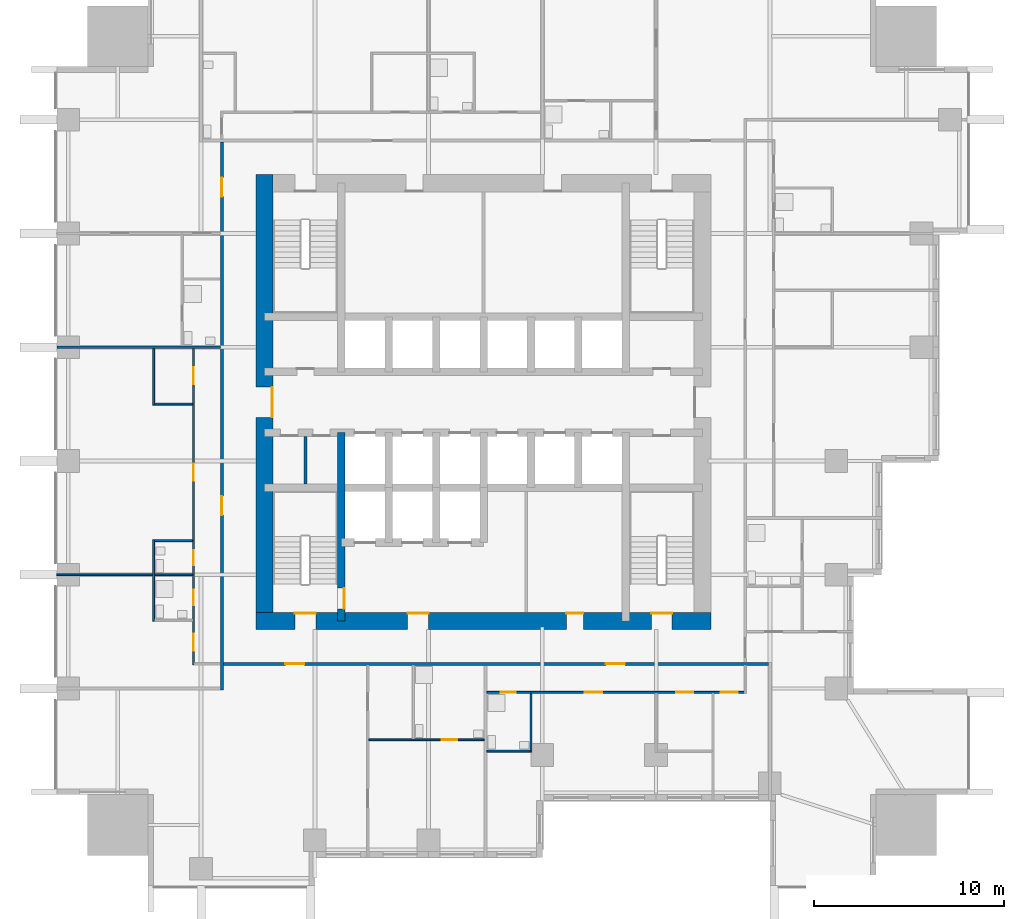
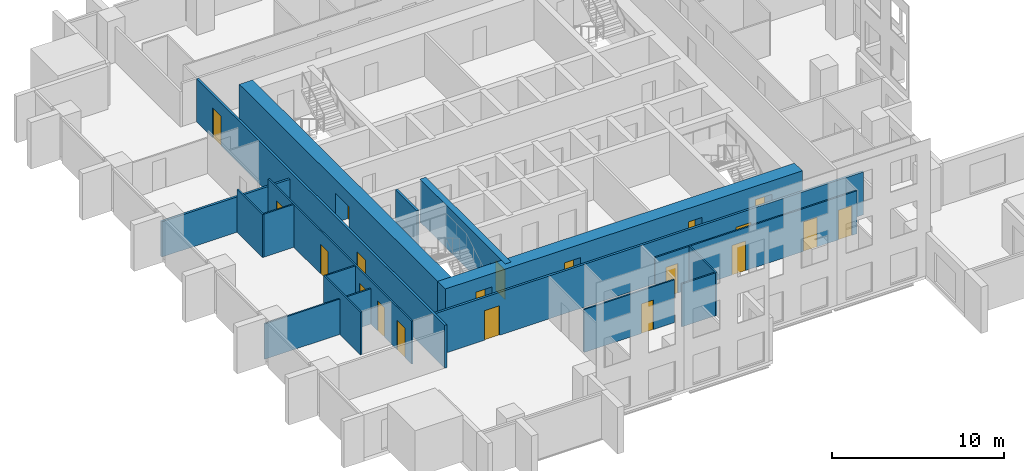
# One storey, part 4 of 11: 20 doors, 17 walls, 20 openings.
"""IFC4 building model written with IfcOpenShell, lengths in metres."""

from ifc_helpers import new_model, si_unit, direction, frame, frame_2d, origin, place, context, subcontext, project, spatial, rectangle, extrude, material, layer, layer_set, type_object, element, fill, save


model = new_model("IFC4")

# Units and contexts
model_context = context("Model", 3, precision=1e-05, world=origin(), true_north=direction((0.0, 1.0)))
body_context = subcontext(model_context, "Body", "Model", "MODEL_VIEW")
ifc_project = project(units=[si_unit("LENGTHUNIT", "METRE"), si_unit("AREAUNIT", "SQUARE_METRE"), si_unit("VOLUMEUNIT", "CUBIC_METRE"), si_unit("PLANEANGLEUNIT", "RADIAN"), si_unit("MASSUNIT", "GRAM", prefix="KILO")], contexts=[model_context])

# Site, building, storey
site_placement = place(None, origin())
site = spatial("IfcSite", under=ifc_project, at=site_placement, CompositionType="ELEMENT")
building_placement = place(site_placement, origin())
building = spatial("IfcBuilding", under=site, at=building_placement, Name="Amberfall Residences", CompositionType="ELEMENT")
storey_placement = place(building_placement, frame((0.0, 0.0, 33.39990234375)))
storey = spatial("IfcBuildingStorey", under=building, at=storey_placement, Name="L08", CompositionType="ELEMENT", Elevation=33.39990234375)

# Wall, opening, door
ifc_material_1 = material(Name="Concrete C80", Category="concrete")
ifc_layer_1 = layer(ifc_material_1, 0.39990234375)
ifc_layer_set_1 = layer_set([ifc_layer_1], Name="Core wall 400 C80")
wall_type_1 = type_object("IfcWallType", Name="Core wall 400 C80", PredefinedType="SHEAR", material=ifc_layer_set_1)
wall_1_placement = place(storey_placement, frame((67.0, 33.949951171875, 0.0), z_axis=(0.0, 0.0, 1.0), x_axis=(0.0, 1.0, 0.0)))
wall_1 = element("IfcWall", 1, at=wall_1_placement, inside=storey, type_object=wall_type_1, Name="Core wall RW2 L08 V45S", PredefinedType="SHEAR", context=body_context, shape_type="SweptSolid", body=[
    extrude(rectangle(XDim=9.949951171875, YDim=0.39990234375, at=frame_2d((4.97509765625, 0.0))), origin(), (0.0, 0.0, 1.0), 3.050048828125),
])
opening_1_placement = place(wall_1_placement, frame((0.64990234375, 0.0, 0.0)))
opening_1 = element("IfcOpeningElement", 2, at=opening_1_placement, cuts=wall_1, Name="Opening FL1", PredefinedType="OPENING", context=body_context, shape_type="SweptSolid", body=[
    extrude(rectangle(XDim=1.10009765625, YDim=2.10009765625, at=frame_2d((0.550048828125, 1.050048828125))), frame((0.0, 0.2099609375, 0.0), z_axis=(0.0, -1.0, 0.0), x_axis=(1.0, 0.0, 0.0)), (0.0, 0.0, 1.0), 0.419921875),
])
ifc_material_2 = material(Name="Steel fire door set", Category="steel")
door_type_1 = type_object("IfcDoorType", Name="Firefighting lobby door 1100 x 2100", OperationType="SINGLE_SWING_LEFT", PredefinedType="DOOR", material=ifc_material_2)
door_1_placement = place(opening_1_placement, origin())
door_1 = element("IfcDoor", 3, at=door_1_placement, inside=storey, type_object=door_type_1, Name="FL1 L08", OperationType="SINGLE_SWING_RIGHT", OverallHeight=2.10009765625, OverallWidth=1.10009765625, PredefinedType="DOOR", context=body_context, shape_type="SweptSolid", body=[
    extrude(rectangle(XDim=1.10009765625, YDim=2.10009765625, at=frame_2d((0.550048828125, 1.050048828125))), frame((0.0, -0.1376953125, 0.0), z_axis=(0.0, -1.0, 0.0), x_axis=(1.0, 0.0, 0.0)), (0.0, 0.0, 1.0), 0.050048828125),
])
fill(opening_1, door_1)

# Wall, openings, doors
ifc_layer_2 = layer(ifc_material_1, 0.89990234375)
ifc_layer_set_2 = layer_set([ifc_layer_2], Name="Core wall 900 C80")
wall_type_2 = type_object("IfcWallType", Name="Core wall 900 C80", PredefinedType="SHEAR", material=ifc_layer_set_2)
wall_2_placement = place(storey_placement, frame((62.5, 33.949951171875, 0.0), z_axis=(0.0, 0.0, 1.0), x_axis=(1.0, 0.0, 0.0)))
wall_2 = element("IfcWall", 4, at=wall_2_placement, inside=storey, type_object=wall_type_2, Name="Core wall RW1 L08 OS", PredefinedType="SHEAR", context=body_context, shape_type="SweptSolid", body=[
    extrude(rectangle(XDim=24.0, YDim=0.89990234375, at=frame_2d((12.0, 0.0))), origin(), (0.0, 0.0, 1.0), 3.050048828125),
])
opening_2_placement = place(wall_2_placement, frame((2.050048828125, 0.0, 0.0)))
opening_2 = element("IfcOpeningElement", 5, at=opening_2_placement, cuts=wall_2, Name="Opening SD1", PredefinedType="OPENING", context=body_context, shape_type="SweptSolid", body=[
    extrude(rectangle(XDim=1.10009765625, YDim=2.10009765625, at=frame_2d((0.550048828125, 1.050048828125))), frame((0.0, 0.4599609375, 0.0), z_axis=(0.0, -1.0, 0.0), x_axis=(1.0, 0.0, 0.0)), (0.0, 0.0, 1.0), 0.919921875),
])
opening_3_placement = place(wall_2_placement, frame((20.85009765625, 0.0, 0.0)))
opening_3 = element("IfcOpeningElement", 6, at=opening_3_placement, cuts=wall_2, Name="Opening SD1", PredefinedType="OPENING", context=body_context, shape_type="SweptSolid", body=[
    extrude(rectangle(XDim=1.10009765625, YDim=2.10009765625, at=frame_2d((0.550048828125, 1.050048828125))), frame((0.0, 0.4599609375, 0.0), z_axis=(0.0, -1.0, 0.0), x_axis=(1.0, 0.0, 0.0)), (0.0, 0.0, 1.0), 0.919921875),
])
opening_4_placement = place(wall_2_placement, frame((8.0, 0.0, 0.0)))
opening_4 = element("IfcOpeningElement", 7, at=opening_4_placement, cuts=wall_2, Name="Opening FL1", PredefinedType="OPENING", context=body_context, shape_type="SweptSolid", body=[
    extrude(rectangle(XDim=1.10009765625, YDim=2.10009765625, at=frame_2d((0.550048828125, 1.050048828125))), frame((0.0, 0.4599609375, 0.0), z_axis=(0.0, -1.0, 0.0), x_axis=(1.0, 0.0, 0.0)), (0.0, 0.0, 1.0), 0.919921875),
])
opening_5_placement = place(wall_2_placement, frame((16.362548828125, 0.0, 0.0)))
opening_5 = element("IfcOpeningElement", 8, at=opening_5_placement, cuts=wall_2, Name="Opening RD1", PredefinedType="OPENING", context=body_context, shape_type="SweptSolid", body=[
    extrude(rectangle(XDim=0.89990234375, YDim=2.10009765625, at=frame_2d((0.449951171875, 1.050048828125))), frame((0.0, 0.4599609375, 0.0), z_axis=(0.0, -1.0, 0.0), x_axis=(1.0, 0.0, 0.0)), (0.0, 0.0, 1.0), 0.919921875),
])
door_2_placement = place(opening_4_placement, origin())
door_2 = element("IfcDoor", 9, at=door_2_placement, inside=storey, type_object=door_type_1, Name="FL1 L08", OperationType="SINGLE_SWING_LEFT", OverallHeight=2.10009765625, OverallWidth=1.10009765625, PredefinedType="DOOR", context=body_context, shape_type="SweptSolid", body=[
    extrude(rectangle(XDim=1.10009765625, YDim=2.10009765625, at=frame_2d((0.550048828125, 1.050048828125))), frame((0.0, 0.4375, 0.0), z_axis=(0.0, -1.0, 0.0), x_axis=(1.0, 0.0, 0.0)), (0.0, 0.0, 1.0), 0.050048828125),
])
fill(opening_4, door_2)
door_type_2 = type_object("IfcDoorType", Name="Service room door 900 x 2100", OperationType="SINGLE_SWING_LEFT", PredefinedType="DOOR", material=ifc_material_2)
door_3_placement = place(opening_5_placement, origin())
door_3 = element("IfcDoor", 10, at=door_3_placement, inside=storey, type_object=door_type_2, Name="RD1 L08", OperationType="SINGLE_SWING_LEFT", OverallHeight=2.10009765625, OverallWidth=0.89990234375, PredefinedType="DOOR", context=body_context, shape_type="SweptSolid", body=[
    extrude(rectangle(XDim=0.89990234375, YDim=2.10009765625, at=frame_2d((0.449951171875, 1.050048828125))), frame((0.0, 0.4375, 0.0), z_axis=(0.0, -1.0, 0.0), x_axis=(1.0, 0.0, 0.0)), (0.0, 0.0, 1.0), 0.050048828125),
])
fill(opening_5, door_3)
door_type_3 = type_object("IfcDoorType", Name="Stair door 1100 x 2100", OperationType="SINGLE_SWING_LEFT", PredefinedType="DOOR", material=ifc_material_2)
door_4_placement = place(opening_2_placement, origin())
door_4 = element("IfcDoor", 11, at=door_4_placement, inside=storey, type_object=door_type_3, Name="SD1 L08", OperationType="SINGLE_SWING_LEFT", OverallHeight=2.10009765625, OverallWidth=1.10009765625, PredefinedType="DOOR", context=body_context, shape_type="SweptSolid", body=[
    extrude(rectangle(XDim=1.10009765625, YDim=2.10009765625, at=frame_2d((0.550048828125, 1.050048828125))), frame((0.0, 0.4375, 0.0), z_axis=(0.0, -1.0, 0.0), x_axis=(1.0, 0.0, 0.0)), (0.0, 0.0, 1.0), 0.050048828125),
])
fill(opening_2, door_4)
door_5_placement = place(opening_3_placement, origin())
door_5 = element("IfcDoor", 12, at=door_5_placement, inside=storey, type_object=door_type_3, Name="SD1 L08", OperationType="SINGLE_SWING_RIGHT", OverallHeight=2.10009765625, OverallWidth=1.10009765625, PredefinedType="DOOR", context=body_context, shape_type="SweptSolid", body=[
    extrude(rectangle(XDim=1.10009765625, YDim=2.10009765625, at=frame_2d((0.550048828125, 1.050048828125))), frame((0.0, 0.4375, 0.0), z_axis=(0.0, -1.0, 0.0), x_axis=(1.0, 0.0, 0.0)), (0.0, 0.0, 1.0), 0.050048828125),
])
fill(opening_3, door_5)

# Wall, opening, door
wall_3_placement = place(storey_placement, frame((62.949951171875, 33.5, 0.0), z_axis=(0.0, 0.0, 1.0), x_axis=(0.0, 1.0, 0.0)))
wall_3 = element("IfcWall", 13, at=wall_3_placement, inside=storey, type_object=wall_type_2, Name="Core wall RW1 L08 OW", PredefinedType="SHEAR", context=body_context, shape_type="SweptSolid", body=[
    extrude(rectangle(XDim=24.0, YDim=0.89990234375, at=frame_2d((12.0, 0.0))), origin(), (0.0, 0.0, 1.0), 3.050048828125),
])
opening_6_placement = place(wall_3_placement, frame((11.199951171875, 0.0, 0.0)))
opening_6 = element("IfcOpeningElement", 14, at=opening_6_placement, cuts=wall_3, Name="Opening LB1", PredefinedType="OPENING", context=body_context, shape_type="SweptSolid", body=[
    extrude(rectangle(XDim=1.60009765625, YDim=2.10009765625, at=frame_2d((0.800048828125, 1.050048828125))), frame((0.0, 0.4599609375, 0.0), z_axis=(0.0, -1.0, 0.0), x_axis=(1.0, 0.0, 0.0)), (0.0, 0.0, 1.0), 0.919921875),
])
door_type_4 = type_object("IfcDoorType", Name="Lift lobby double door 1600 x 2100", OperationType="DOUBLE_DOOR_SINGLE_SWING", PredefinedType="DOOR", material=ifc_material_2)
door_6_placement = place(opening_6_placement, origin())
door_6 = element("IfcDoor", 15, at=door_6_placement, inside=storey, type_object=door_type_4, Name="LB1 L08", OperationType="DOUBLE_DOOR_SINGLE_SWING", OverallHeight=2.10009765625, OverallWidth=1.60009765625, PredefinedType="DOOR", context=body_context, shape_type="SweptSolid", body=[
    extrude(rectangle(XDim=1.60009765625, YDim=2.10009765625, at=frame_2d((0.800048828125, 1.050048828125))), frame((0.0, -0.3876953125, 0.0), z_axis=(0.0, -1.0, 0.0), x_axis=(1.0, 0.0, 0.0)), (0.0, 0.0, 1.0), 0.050048828125),
])
fill(opening_6, door_6)

# Walls
ifc_material_3 = material(Name="Gypsum board on metal stud")
ifc_layer_3 = layer(ifc_material_3, 0.10009765625)
ifc_layer_set_3 = layer_set([ifc_layer_3], Name="Flat partition 100")
wall_type_3 = type_object("IfcWallType", Name="Flat partition 100", PredefinedType="PARTITIONING", material=ifc_layer_set_3)
wall_4_placement = place(storey_placement, frame((57.10009765625, 33.949951171875, 0.0), z_axis=(0.0, 0.0, 1.0), x_axis=(0.0, 1.0, 0.0)))
element("IfcWall", 16, at=wall_4_placement, inside=storey, type_object=wall_type_3, Name="Partition 001", PredefinedType="PARTITIONING", context=body_context, shape_type="SweptSolid", body=[
    extrude(rectangle(XDim=4.300048828125, YDim=0.10009765625, at=frame_2d((2.14990234375, 0.0))), origin(), (0.0, 0.0, 1.0), 3.050048828125),
])
wall_5_placement = place(storey_placement, frame((57.10009765625, 45.35009765625, 0.0), z_axis=(0.0, 0.0, 1.0), x_axis=(0.0, 1.0, 0.0)))
element("IfcWall", 17, at=wall_5_placement, inside=storey, type_object=wall_type_3, Name="Partition 002", PredefinedType="PARTITIONING", context=body_context, shape_type="SweptSolid", body=[
    extrude(rectangle(XDim=2.974853515625, YDim=0.10009765625, at=frame_2d((1.4873046875, 0.0))), origin(), (0.0, 0.0, 1.0), 3.050048828125),
])

# Wall, openings, doors
wall_6_placement = place(storey_placement, frame((59.199951171875, 31.64990234375, 0.0), z_axis=(0.0, 0.0, 1.0), x_axis=(0.0, 1.0, 0.0)))
wall_6 = element("IfcWall", 18, at=wall_6_placement, inside=storey, type_object=wall_type_3, Name="Partition 004", PredefinedType="PARTITIONING", context=body_context, shape_type="SweptSolid", body=[
    extrude(rectangle(XDim=16.675048828125, YDim=0.10009765625, at=frame_2d((8.33740234375, 0.0))), origin(), (0.0, 0.0, 1.0), 3.050048828125),
])
opening_7_placement = place(wall_6_placement, frame((9.699951171875, 0.0, 0.0)))
opening_7 = element("IfcOpeningElement", 19, at=opening_7_placement, cuts=wall_6, Name="Opening D41", PredefinedType="OPENING", context=body_context, shape_type="SweptSolid", body=[
    extrude(rectangle(XDim=0.89990234375, YDim=2.10009765625, at=frame_2d((0.449951171875, 1.050048828125))), frame((0.0, 0.06005859375, 0.0), z_axis=(0.0, -1.0, 0.0), x_axis=(1.0, 0.0, 0.0)), (0.0, 0.0, 1.0), 0.1201171875),
])
opening_8_placement = place(wall_6_placement, frame((14.800048828125, 0.0, 0.0)))
opening_8 = element("IfcOpeningElement", 20, at=opening_8_placement, cuts=wall_6, Name="Opening D41", PredefinedType="OPENING", context=body_context, shape_type="SweptSolid", body=[
    extrude(rectangle(XDim=0.89990234375, YDim=2.10009765625, at=frame_2d((0.449951171875, 1.050048828125))), frame((0.0, 0.06005859375, 0.0), z_axis=(0.0, -1.0, 0.0), x_axis=(1.0, 0.0, 0.0)), (0.0, 0.0, 1.0), 0.1201171875),
])
opening_9_placement = place(wall_6_placement, frame((5.25, 0.0, 0.0)))
opening_9 = element("IfcOpeningElement", 21, at=opening_9_placement, cuts=wall_6, Name="Opening D42", PredefinedType="OPENING", context=body_context, shape_type="SweptSolid", body=[
    extrude(rectangle(XDim=0.800048828125, YDim=2.10009765625, at=frame_2d((0.39990234375, 1.050048828125))), frame((0.0, 0.06005859375, 0.0), z_axis=(0.0, -1.0, 0.0), x_axis=(1.0, 0.0, 0.0)), (0.0, 0.0, 1.0), 0.1201171875),
])
opening_10_placement = place(wall_6_placement, frame((0.75, 0.0, 0.0)))
opening_10 = element("IfcOpeningElement", 22, at=opening_10_placement, cuts=wall_6, Name="Opening D41", PredefinedType="OPENING", context=body_context, shape_type="SweptSolid", body=[
    extrude(rectangle(XDim=0.89990234375, YDim=2.10009765625, at=frame_2d((0.449951171875, 1.050048828125))), frame((0.0, 0.06005859375, 0.0), z_axis=(0.0, -1.0, 0.0), x_axis=(1.0, 0.0, 0.0)), (0.0, 0.0, 1.0), 0.1201171875),
])
opening_11_placement = place(wall_6_placement, frame((3.14990234375, 0.0, 0.0)))
opening_11 = element("IfcOpeningElement", 23, at=opening_11_placement, cuts=wall_6, Name="Opening D42", PredefinedType="OPENING", context=body_context, shape_type="SweptSolid", body=[
    extrude(rectangle(XDim=0.800048828125, YDim=2.10009765625, at=frame_2d((0.39990234375, 1.050048828125))), frame((0.0, 0.06005859375, 0.0), z_axis=(0.0, -1.0, 0.0), x_axis=(1.0, 0.0, 0.0)), (0.0, 0.0, 1.0), 0.1201171875),
])
ifc_material_4 = material(Name="Timber", Category="wood")
door_type_5 = type_object("IfcDoorType", Name="Bathroom door 800 x 2100", OperationType="SINGLE_SWING_LEFT", PredefinedType="DOOR", material=ifc_material_4)
door_7_placement = place(opening_9_placement, origin())
door_7 = element("IfcDoor", 24, at=door_7_placement, inside=storey, type_object=door_type_5, Name="Door 0807 wc1", OperationType="SINGLE_SWING_LEFT", OverallHeight=2.10009765625, OverallWidth=0.800048828125, PredefinedType="DOOR", context=body_context, shape_type="SweptSolid", body=[
    extrude(rectangle(XDim=0.800048828125, YDim=2.10009765625, at=frame_2d((0.39990234375, 1.050048828125))), frame((0.0, 0.02490234375, 0.0), z_axis=(0.0, -1.0, 0.0), x_axis=(1.0, 0.0, 0.0)), (0.0, 0.0, 1.0), 0.050048828125),
])
fill(opening_9, door_7)
door_8_placement = place(opening_11_placement, origin())
door_8 = element("IfcDoor", 25, at=door_8_placement, inside=storey, type_object=door_type_5, Name="Door 0807 bath1", OperationType="SINGLE_SWING_LEFT", OverallHeight=2.10009765625, OverallWidth=0.800048828125, PredefinedType="DOOR", context=body_context, shape_type="SweptSolid", body=[
    extrude(rectangle(XDim=0.800048828125, YDim=2.10009765625, at=frame_2d((0.39990234375, 1.050048828125))), frame((0.0, 0.02490234375, 0.0), z_axis=(0.0, -1.0, 0.0), x_axis=(1.0, 0.0, 0.0)), (0.0, 0.0, 1.0), 0.050048828125),
])
fill(opening_11, door_8)
door_type_6 = type_object("IfcDoorType", Name="Internal door 900 x 2100", OperationType="SINGLE_SWING_LEFT", PredefinedType="DOOR", material=ifc_material_4)
door_9_placement = place(opening_7_placement, origin())
door_9 = element("IfcDoor", 26, at=door_9_placement, inside=storey, type_object=door_type_6, Name="Door 0807 living", OperationType="SINGLE_SWING_LEFT", OverallHeight=2.10009765625, OverallWidth=0.89990234375, PredefinedType="DOOR", context=body_context, shape_type="SweptSolid", body=[
    extrude(rectangle(XDim=0.89990234375, YDim=2.10009765625, at=frame_2d((0.449951171875, 1.050048828125))), frame((0.0, 0.02490234375, 0.0), z_axis=(0.0, -1.0, 0.0), x_axis=(1.0, 0.0, 0.0)), (0.0, 0.0, 1.0), 0.050048828125),
])
fill(opening_7, door_9)
door_10_placement = place(opening_8_placement, origin())
door_10 = element("IfcDoor", 27, at=door_10_placement, inside=storey, type_object=door_type_6, Name="Door 0807 kitchen", OperationType="SINGLE_SWING_LEFT", OverallHeight=2.10009765625, OverallWidth=0.89990234375, PredefinedType="DOOR", context=body_context, shape_type="SweptSolid", body=[
    extrude(rectangle(XDim=0.89990234375, YDim=2.10009765625, at=frame_2d((0.449951171875, 1.050048828125))), frame((0.0, 0.02490234375, 0.0), z_axis=(0.0, -1.0, 0.0), x_axis=(1.0, 0.0, 0.0)), (0.0, 0.0, 1.0), 0.050048828125),
])
fill(opening_8, door_10)
door_11_placement = place(opening_10_placement, origin())
door_11 = element("IfcDoor", 28, at=door_11_placement, inside=storey, type_object=door_type_6, Name="Door 0807 bedroom1", OperationType="SINGLE_SWING_LEFT", OverallHeight=2.10009765625, OverallWidth=0.89990234375, PredefinedType="DOOR", context=body_context, shape_type="SweptSolid", body=[
    extrude(rectangle(XDim=0.89990234375, YDim=2.10009765625, at=frame_2d((0.449951171875, 1.050048828125))), frame((0.0, 0.02490234375, 0.0), z_axis=(0.0, -1.0, 0.0), x_axis=(1.0, 0.0, 0.0)), (0.0, 0.0, 1.0), 0.050048828125),
])
fill(opening_10, door_11)

# Walls
wall_7_placement = place(storey_placement, frame((77.0, 27.050048828125, 0.0), z_axis=(0.0, 0.0, 1.0), x_axis=(0.0, 1.0, 0.0)))
element("IfcWall", 29, at=wall_7_placement, inside=storey, type_object=wall_type_3, Name="Partition 012", PredefinedType="PARTITIONING", context=body_context, shape_type="SweptSolid", body=[
    extrude(rectangle(XDim=3.099853515625, YDim=0.10009765625, at=frame_2d((1.5498046875, 0.0))), origin(), (0.0, 0.0, 1.0), 3.050048828125),
])
for number, where, z_axis, x_axis, name in (
    (30, (57.14990234375, 45.39990234375, 0.0), (0.0, 0.0, 1.0), (1.0, 0.0, 0.0), "Partition 033"),
    (31, (57.14990234375, 38.199951171875, 0.0), (0.0, 0.0, 1.0), (1.0, 0.0, 0.0), "Partition 034"),
):
    element("IfcWall", number, at=place(storey_placement, frame(where, z_axis=z_axis, x_axis=x_axis)), inside=storey, type_object=wall_type_3, Name=name, PredefinedType="PARTITIONING", context=body_context, shape_type="SweptSolid", body=[
        extrude(rectangle(XDim=2.0, YDim=0.10009765625, at=frame_2d((1.0, 0.0))), origin(), (0.0, 0.0, 1.0), 3.050048828125),
    ])
wall_8_placement = place(storey_placement, frame((52.0, 36.39990234375, 0.0), z_axis=(0.0, 0.0, 1.0), x_axis=(1.0, 0.0, 0.0)))
element("IfcWall", 32, at=wall_8_placement, inside=storey, type_object=wall_type_3, Name="Partition 035", PredefinedType="PARTITIONING", context=body_context, shape_type="SweptSolid", body=[
    extrude(rectangle(XDim=7.14990234375, YDim=0.10009765625, at=frame_2d((3.574951171875, 0.0))), origin(), (0.0, 0.0, 1.0), 2.51611328125),
])

# Wall, openings, doors
wall_9_placement = place(storey_placement, frame((88.25, 30.199951171875, 0.0), z_axis=(0.0, 0.0, 1.0), x_axis=(-1.0, 0.0, 0.0)))
wall_9 = element("IfcWall", 33, at=wall_9_placement, inside=storey, type_object=wall_type_3, Name="Partition 040", PredefinedType="PARTITIONING", context=body_context, shape_type="SweptSolid", body=[
    extrude(rectangle(XDim=13.574951171875, YDim=0.10009765625, at=frame_2d((6.78759765625, 0.0))), origin(), (0.0, 0.0, 1.0), 3.050048828125),
])
opening_12_placement = place(wall_9_placement, frame((7.5, 0.0, 0.0)))
opening_12 = element("IfcOpeningElement", 34, at=opening_12_placement, cuts=wall_9, Name="Opening D41", PredefinedType="OPENING", context=body_context, shape_type="SweptSolid", body=[
    extrude(rectangle(XDim=0.89990234375, YDim=2.10009765625, at=frame_2d((0.449951171875, 1.050048828125))), frame((0.0, 0.06005859375, 0.0), z_axis=(0.0, -1.0, 0.0), x_axis=(1.0, 0.0, 0.0)), (0.0, 0.0, 1.0), 0.1201171875),
])
opening_13_placement = place(wall_9_placement, frame((2.699951171875, 0.0, 0.0)))
opening_13 = element("IfcOpeningElement", 35, at=opening_13_placement, cuts=wall_9, Name="Opening D41", PredefinedType="OPENING", context=body_context, shape_type="SweptSolid", body=[
    extrude(rectangle(XDim=0.89990234375, YDim=2.10009765625, at=frame_2d((0.449951171875, 1.050048828125))), frame((0.0, 0.06005859375, 0.0), z_axis=(0.0, -1.0, 0.0), x_axis=(1.0, 0.0, 0.0)), (0.0, 0.0, 1.0), 0.1201171875),
])
opening_14_placement = place(wall_9_placement, frame((0.35009765625, 0.0, 0.0)))
opening_14 = element("IfcOpeningElement", 36, at=opening_14_placement, cuts=wall_9, Name="Opening D41", PredefinedType="OPENING", context=body_context, shape_type="SweptSolid", body=[
    extrude(rectangle(XDim=0.89990234375, YDim=2.10009765625, at=frame_2d((0.449951171875, 1.050048828125))), frame((0.0, 0.06005859375, 0.0), z_axis=(0.0, -1.0, 0.0), x_axis=(1.0, 0.0, 0.0)), (0.0, 0.0, 1.0), 0.1201171875),
])
opening_15_placement = place(wall_9_placement, frame((12.050048828125, 0.0, 0.0)))
opening_15 = element("IfcOpeningElement", 37, at=opening_15_placement, cuts=wall_9, Name="Opening D42", PredefinedType="OPENING", context=body_context, shape_type="SweptSolid", body=[
    extrude(rectangle(XDim=0.800048828125, YDim=2.10009765625, at=frame_2d((0.39990234375, 1.050048828125))), frame((0.0, 0.06005859375, 0.0), z_axis=(0.0, -1.0, 0.0), x_axis=(1.0, 0.0, 0.0)), (0.0, 0.0, 1.0), 0.1201171875),
])
door_12_placement = place(opening_15_placement, origin())
door_12 = element("IfcDoor", 38, at=door_12_placement, inside=storey, type_object=door_type_5, Name="Door 0802 bath1", OperationType="SINGLE_SWING_LEFT", OverallHeight=2.10009765625, OverallWidth=0.800048828125, PredefinedType="DOOR", context=body_context, shape_type="SweptSolid", body=[
    extrude(rectangle(XDim=0.800048828125, YDim=2.10009765625, at=frame_2d((0.39990234375, 1.050048828125))), frame((0.0, 0.02490234375, 0.0), z_axis=(0.0, -1.0, 0.0), x_axis=(1.0, 0.0, 0.0)), (0.0, 0.0, 1.0), 0.050048828125),
])
fill(opening_15, door_12)
door_13_placement = place(opening_12_placement, origin())
door_13 = element("IfcDoor", 39, at=door_13_placement, inside=storey, type_object=door_type_6, Name="Door 0802 living", OperationType="SINGLE_SWING_LEFT", OverallHeight=2.10009765625, OverallWidth=0.89990234375, PredefinedType="DOOR", context=body_context, shape_type="SweptSolid", body=[
    extrude(rectangle(XDim=0.89990234375, YDim=2.10009765625, at=frame_2d((0.449951171875, 1.050048828125))), frame((0.0, 0.02490234375, 0.0), z_axis=(0.0, -1.0, 0.0), x_axis=(1.0, 0.0, 0.0)), (0.0, 0.0, 1.0), 0.050048828125),
])
fill(opening_12, door_13)
door_14_placement = place(opening_13_placement, origin())
door_14 = element("IfcDoor", 40, at=door_14_placement, inside=storey, type_object=door_type_6, Name="Door 0802 kitchen", OperationType="SINGLE_SWING_LEFT", OverallHeight=2.10009765625, OverallWidth=0.89990234375, PredefinedType="DOOR", context=body_context, shape_type="SweptSolid", body=[
    extrude(rectangle(XDim=0.89990234375, YDim=2.10009765625, at=frame_2d((0.449951171875, 1.050048828125))), frame((0.0, 0.02490234375, 0.0), z_axis=(0.0, -1.0, 0.0), x_axis=(1.0, 0.0, 0.0)), (0.0, 0.0, 1.0), 0.050048828125),
])
fill(opening_13, door_14)
door_15_placement = place(opening_14_placement, origin())
door_15 = element("IfcDoor", 41, at=door_15_placement, inside=storey, type_object=door_type_6, Name="Door 0802 bedroom1", OperationType="SINGLE_SWING_LEFT", OverallHeight=2.10009765625, OverallWidth=0.89990234375, PredefinedType="DOOR", context=body_context, shape_type="SweptSolid", body=[
    extrude(rectangle(XDim=0.89990234375, YDim=2.10009765625, at=frame_2d((0.449951171875, 1.050048828125))), frame((0.0, 0.02490234375, 0.0), z_axis=(0.0, -1.0, 0.0), x_axis=(1.0, 0.0, 0.0)), (0.0, 0.0, 1.0), 0.050048828125),
])
fill(opening_14, door_15)

# Wall, opening, door
wall_10_placement = place(storey_placement, frame((68.449951171875, 27.699951171875, 0.0), z_axis=(0.0, 0.0, 1.0), x_axis=(1.0, 0.0, 0.0)))
wall_10 = element("IfcWall", 42, at=wall_10_placement, inside=storey, type_object=wall_type_3, Name="Partition 041", PredefinedType="PARTITIONING", context=body_context, shape_type="SweptSolid", body=[
    extrude(rectangle(XDim=6.074951171875, YDim=0.10009765625, at=frame_2d((3.03759765625, 0.0))), origin(), (0.0, 0.0, 1.0), 3.050048828125),
])
opening_16_placement = place(wall_10_placement, frame((3.85009765625, 0.0, 0.0)))
opening_16 = element("IfcOpeningElement", 43, at=opening_16_placement, cuts=wall_10, Name="Opening D42", PredefinedType="OPENING", context=body_context, shape_type="SweptSolid", body=[
    extrude(rectangle(XDim=0.800048828125, YDim=2.10009765625, at=frame_2d((0.39990234375, 1.050048828125))), frame((0.0, 0.06005859375, 0.0), z_axis=(0.0, -1.0, 0.0), x_axis=(1.0, 0.0, 0.0)), (0.0, 0.0, 1.0), 0.1201171875),
])
door_16_placement = place(opening_16_placement, origin())
door_16 = element("IfcDoor", 44, at=door_16_placement, inside=storey, type_object=door_type_5, Name="Door 0801 bath1", OperationType="SINGLE_SWING_LEFT", OverallHeight=2.10009765625, OverallWidth=0.800048828125, PredefinedType="DOOR", context=body_context, shape_type="SweptSolid", body=[
    extrude(rectangle(XDim=0.800048828125, YDim=2.10009765625, at=frame_2d((0.39990234375, 1.050048828125))), frame((0.0, 0.02490234375, 0.0), z_axis=(0.0, -1.0, 0.0), x_axis=(1.0, 0.0, 0.0)), (0.0, 0.0, 1.0), 0.050048828125),
])
fill(opening_16, door_16)

# Wall
wall_11_placement = place(storey_placement, frame((74.675048828125, 27.10009765625, 0.0), z_axis=(0.0, 0.0, 1.0), x_axis=(1.0, 0.0, 0.0)))
element("IfcWall", 45, at=wall_11_placement, inside=storey, type_object=wall_type_3, Name="Partition 042", PredefinedType="PARTITIONING", context=body_context, shape_type="SweptSolid", body=[
    extrude(rectangle(XDim=2.27490234375, YDim=0.10009765625, at=frame_2d((1.137451171875, 0.0))), origin(), (0.0, 0.0, 1.0), 3.050048828125),
])

# Wall, openings, doors
ifc_material_5 = material(Name="Blockwork, plastered", Category="masonry")
ifc_layer_4 = layer(ifc_material_5, 0.14990234375)
ifc_layer_set_4 = layer_set([ifc_layer_4], Name="Flat separating wall 150")
wall_type_4 = type_object("IfcWallType", Name="Flat separating wall 150", PredefinedType="PARTITIONING", material=ifc_layer_set_4)
wall_12_placement = place(storey_placement, frame((60.699951171875, 30.324951171875, 0.0), z_axis=(0.0, 0.0, 1.0), x_axis=(0.0, 1.0, 0.0)))
wall_12 = element("IfcWall", 46, at=wall_12_placement, inside=storey, type_object=wall_type_4, Name="Separating wall 045", PredefinedType="PARTITIONING", context=body_context, shape_type="SweptSolid", body=[
    extrude(rectangle(XDim=28.900146484375, YDim=0.14990234375, at=frame_2d((14.4501953125, 0.0))), origin(), (0.0, 0.0, 1.0), 3.050048828125),
])
opening_17_placement = place(wall_12_placement, frame((9.22509765625, 0.0, 0.0)))
opening_17 = element("IfcOpeningElement", 47, at=opening_17_placement, cuts=wall_12, Name="Opening D40", PredefinedType="OPENING", context=body_context, shape_type="SweptSolid", body=[
    extrude(rectangle(XDim=1.0, YDim=2.10009765625, at=frame_2d((0.5, 1.050048828125))), frame((0.0, 0.0849609375, 0.0), z_axis=(0.0, -1.0, 0.0), x_axis=(1.0, 0.0, 0.0)), (0.0, 0.0, 1.0), 0.169921875),
])
opening_18_placement = place(wall_12_placement, frame((26.02490234375, 0.0, 0.0)))
opening_18 = element("IfcOpeningElement", 48, at=opening_18_placement, cuts=wall_12, Name="Opening D40", PredefinedType="OPENING", context=body_context, shape_type="SweptSolid", body=[
    extrude(rectangle(XDim=1.0, YDim=2.10009765625, at=frame_2d((0.5, 1.050048828125))), frame((0.0, 0.0849609375, 0.0), z_axis=(0.0, -1.0, 0.0), x_axis=(1.0, 0.0, 0.0)), (0.0, 0.0, 1.0), 0.169921875),
])
ifc_material_6 = material(Name="Timber, fire-rated", Category="wood")
door_type_7 = type_object("IfcDoorType", Name="Flat entrance door FD60 1000 x 2100", OperationType="SINGLE_SWING_LEFT", PredefinedType="DOOR", material=ifc_material_6)
door_17_placement = place(opening_17_placement, origin())
door_17 = element("IfcDoor", 49, at=door_17_placement, inside=storey, type_object=door_type_7, Name="Door 0807 entrance", OperationType="SINGLE_SWING_LEFT", OverallHeight=2.10009765625, OverallWidth=1.0, PredefinedType="DOOR", context=body_context, shape_type="SweptSolid", body=[
    extrude(rectangle(XDim=1.0, YDim=2.10009765625, at=frame_2d((0.5, 1.050048828125))), frame((0.0, 0.02490234375, 0.0), z_axis=(0.0, -1.0, 0.0), x_axis=(1.0, 0.0, 0.0)), (0.0, 0.0, 1.0), 0.050048828125),
])
fill(opening_17, door_17)
door_18_placement = place(opening_18_placement, origin())
door_18 = element("IfcDoor", 50, at=door_18_placement, inside=storey, type_object=door_type_7, Name="Door 0808 entrance", OperationType="SINGLE_SWING_LEFT", OverallHeight=2.10009765625, OverallWidth=1.0, PredefinedType="DOOR", context=body_context, shape_type="SweptSolid", body=[
    extrude(rectangle(XDim=1.0, YDim=2.10009765625, at=frame_2d((0.5, 1.050048828125))), frame((0.0, 0.02490234375, 0.0), z_axis=(0.0, -1.0, 0.0), x_axis=(1.0, 0.0, 0.0)), (0.0, 0.0, 1.0), 0.050048828125),
])
fill(opening_18, door_18)

# Wall
wall_13_placement = place(storey_placement, frame((52.0, 48.39990234375, 0.0), z_axis=(0.0, 0.0, 1.0), x_axis=(1.0, 0.0, 0.0)))
element("IfcWall", 51, at=wall_13_placement, inside=storey, type_object=wall_type_4, Name="Separating wall 052", PredefinedType="PARTITIONING", context=body_context, shape_type="SweptSolid", body=[
    extrude(rectangle(XDim=8.625, YDim=0.14990234375, at=frame_2d((4.3125, 0.0))), origin(), (0.0, 0.0, 1.0), 2.51611328125),
])

# Wall, openings, doors
wall_14_placement = place(storey_placement, frame((89.52490234375, 31.699951171875, 0.0), z_axis=(0.0, 0.0, 1.0), x_axis=(-1.0, 0.0, 0.0)))
wall_14 = element("IfcWall", 52, at=wall_14_placement, inside=storey, type_object=wall_type_4, Name="Separating wall 054", PredefinedType="PARTITIONING", context=body_context, shape_type="SweptSolid", body=[
    extrude(rectangle(XDim=28.75, YDim=0.14990234375, at=frame_2d((14.375, 0.0))), origin(), (0.0, 0.0, 1.0), 3.050048828125),
])
opening_19_placement = place(wall_14_placement, frame((24.47509765625, 0.0, 0.0)))
opening_19 = element("IfcOpeningElement", 53, at=opening_19_placement, cuts=wall_14, Name="Opening D40", PredefinedType="OPENING", context=body_context, shape_type="SweptSolid", body=[
    extrude(rectangle(XDim=1.0, YDim=2.10009765625, at=frame_2d((0.5, 1.050048828125))), frame((0.0, 0.0849609375, 0.0), z_axis=(0.0, -1.0, 0.0), x_axis=(1.0, 0.0, 0.0)), (0.0, 0.0, 1.0), 0.169921875),
])
opening_20_placement = place(wall_14_placement, frame((7.574951171875, 0.0, 0.0)))
opening_20 = element("IfcOpeningElement", 54, at=opening_20_placement, cuts=wall_14, Name="Opening D40", PredefinedType="OPENING", context=body_context, shape_type="SweptSolid", body=[
    extrude(rectangle(XDim=1.0, YDim=2.10009765625, at=frame_2d((0.5, 1.050048828125))), frame((0.0, 0.0849609375, 0.0), z_axis=(0.0, -1.0, 0.0), x_axis=(1.0, 0.0, 0.0)), (0.0, 0.0, 1.0), 0.169921875),
])
door_19_placement = place(opening_19_placement, origin())
door_19 = element("IfcDoor", 55, at=door_19_placement, inside=storey, type_object=door_type_7, Name="Door 0801 entrance", OperationType="SINGLE_SWING_LEFT", OverallHeight=2.10009765625, OverallWidth=1.0, PredefinedType="DOOR", context=body_context, shape_type="SweptSolid", body=[
    extrude(rectangle(XDim=1.0, YDim=2.10009765625, at=frame_2d((0.5, 1.050048828125))), frame((0.0, 0.02490234375, 0.0), z_axis=(0.0, -1.0, 0.0), x_axis=(1.0, 0.0, 0.0)), (0.0, 0.0, 1.0), 0.050048828125),
])
fill(opening_19, door_19)
door_20_placement = place(opening_20_placement, origin())
door_20 = element("IfcDoor", 56, at=door_20_placement, inside=storey, type_object=door_type_7, Name="Door 0802 entrance", OperationType="SINGLE_SWING_LEFT", OverallHeight=2.10009765625, OverallWidth=1.0, PredefinedType="DOOR", context=body_context, shape_type="SweptSolid", body=[
    extrude(rectangle(XDim=1.0, YDim=2.10009765625, at=frame_2d((0.5, 1.050048828125))), frame((0.0, 0.02490234375, 0.0), z_axis=(0.0, -1.0, 0.0), x_axis=(1.0, 0.0, 0.0)), (0.0, 0.0, 1.0), 0.050048828125),
])
fill(opening_20, door_20)

# Wall
ifc_material_7 = material(Name="Concrete blockwork", Category="masonry")
ifc_layer_5 = layer(ifc_material_7, 0.14990234375)
ifc_layer_set_5 = layer_set([ifc_layer_5], Name="Riser wall 150")
wall_type_5 = type_object("IfcWallType", Name="Riser wall 150", PredefinedType="PLUMBINGWALL", material=ifc_layer_set_5)
wall_15_placement = place(storey_placement, frame((65.10009765625, 41.199951171875, 0.0), z_axis=(0.0, 0.0, 1.0), x_axis=(0.0, 1.0, 0.0)))
element("IfcWall", 57, at=wall_15_placement, inside=storey, type_object=wall_type_5, Name="L08 core wall ASW0", PredefinedType="PLUMBINGWALL", context=body_context, shape_type="SweptSolid", body=[
    extrude(rectangle(XDim=2.5, YDim=0.14990234375, at=frame_2d((1.25, 0.0))), origin(), (0.0, 0.0, 1.0), 3.050048828125),
])

save(model, "model.ifc")
